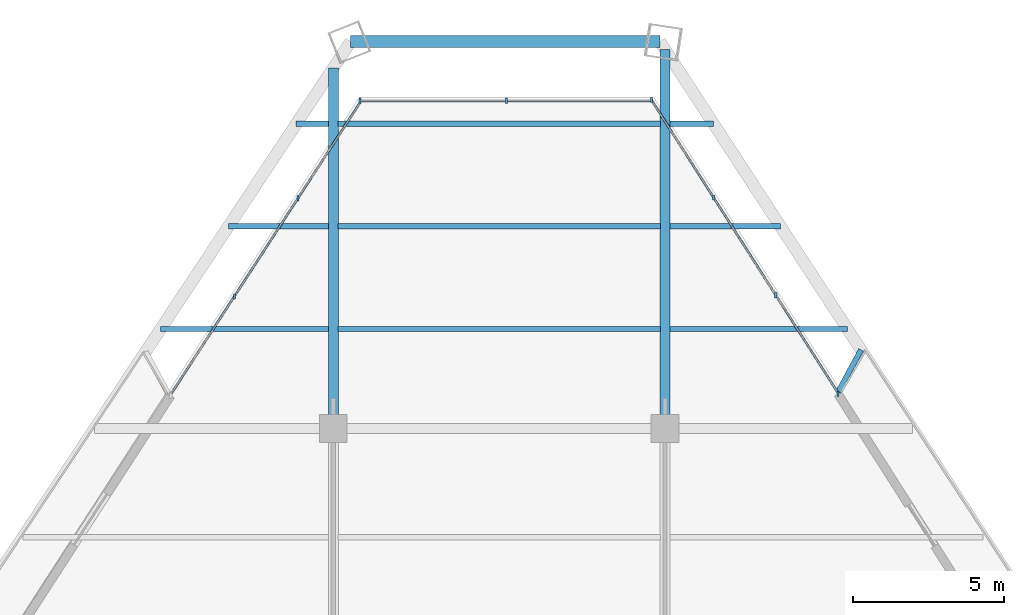
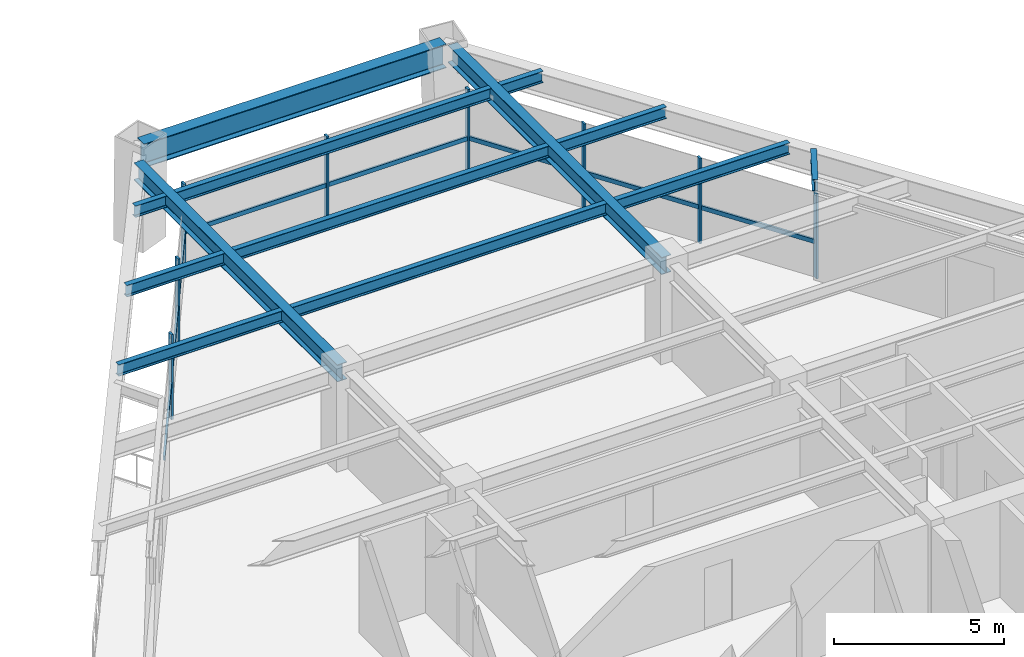
# One storey, part 9 of 15: 16 members, 13 beams, 3 elements without a shape of their own.
"""IFC4 building model written with IfcOpenShell, lengths in metres."""

from ifc_helpers import new_model, si_unit, direction, frame, origin, origin_2d, place, context, subcontext, project, spatial, rectangle, i_section, extrude, source, transform, mapped, material, material_profile, profile_set, type_object, type_shapes, element, aggregate, save


model = new_model("IFC4")

# Units and contexts
model_context = context("Model", 3, precision=1e-05, world=origin(), true_north=direction((0.0, 1.0)))
body_context = subcontext(model_context, "Body", "Model", "MODEL_VIEW")
ifc_project = project(units=[si_unit("LENGTHUNIT", "METRE"), si_unit("AREAUNIT", "SQUARE_METRE"), si_unit("VOLUMEUNIT", "CUBIC_METRE"), si_unit("PLANEANGLEUNIT", "RADIAN"), si_unit("MASSUNIT", "GRAM", prefix="KILO")], contexts=[model_context])

# Site, building, storey
site_placement = place(None, origin())
site = spatial("IfcSite", under=ifc_project, at=site_placement, CompositionType="ELEMENT")
building_placement = place(site_placement, origin())
building = spatial("IfcBuilding", under=site, at=building_placement, Name="Varnakhor Terracotta Tower", CompositionType="ELEMENT")
storey_placement = place(building_placement, frame((0.0, 0.0, 144.10009765625)))
storey = spatial("IfcBuildingStorey", under=building, at=storey_placement, Name="L36", CompositionType="ELEMENT", Elevation=144.10009765625)

# Beams
ifc_material_1 = material(Name="Steel S355", Category="steel")
ifc_material_profile_1 = material_profile(ifc_material_1, i_section(OverallWidth=0.179931640625, OverallDepth=0.4130859375, WebThickness=0.009765625, FlangeThickness=0.01611328125, FilletRadius=0.01806640625, at=origin_2d()), Name="W16X50")
ifc_profile_set_1 = profile_set([ifc_material_profile_1], Name="Steel S355")
beam_type_1 = type_object("IfcBeamType", Name="JST-W16X50", PredefinedType="JOIST", material=ifc_profile_set_1)
shared_shape_1 = source(origin(), body_context, "Body", "SweptSolid", [
    extrude(i_section(OverallWidth=0.179931640625, OverallDepth=0.4130859375, WebThickness=0.009765625, FlangeThickness=0.01611328125, FilletRadius=0.01806640625, at=origin_2d()), origin(), (0.0, 0.0, 1.0), 10.68310546875),
])
for number, where, z_axis, x_axis, name in (
    (1, (-5.341552734375, 34.800048828125, 3.263427734375), (1.0, 0.0, 0.0), (0.0, 1.0, 0.0), "L36 Composite Floor Joist 7-2"),
    (2, (-5.341552734375, 38.199951171875, 3.263427734375), (1.0, 0.0, 0.0), (0.0, 1.0, 0.0), "L36 Composite Floor Joist 8-2"),
    (3, (-5.341552734375, 41.60009765625, 3.263427734375), (1.0, 0.0, 0.0), (0.0, 1.0, 0.0), "L36 Composite Floor Joist 9-2"),
):
    element("IfcBeam", number, at=place(storey_placement, frame(where, z_axis=z_axis, x_axis=x_axis)), inside=storey, type_object=beam_type_1, Name=name, PredefinedType="JOIST", context=body_context, shape_type="MappedRepresentation", body=[
        mapped(shared_shape_1, transform((0.0, 0.0, 0.0), scale=1.0)),
    ])
ifc_material_profile_2 = material_profile(ifc_material_1, i_section(OverallWidth=0.39990234375, OverallDepth=0.85498046875, WebThickness=0.01806640625, FlangeThickness=0.029052734375, FilletRadius=0.01806640625, at=origin_2d()), Name="W33X201")
ifc_profile_set_2 = profile_set([ifc_material_profile_2], Name="Steel S355")
beam_type_2 = type_object("IfcBeamType", Name="BM-W33X201", PredefinedType="BEAM", material=ifc_profile_set_2)
shared_shape_2 = source(origin(), body_context, "Body", "SweptSolid", [
    extrude(i_section(OverallWidth=0.39990234375, OverallDepth=0.85498046875, WebThickness=0.01806640625, FlangeThickness=0.029052734375, FilletRadius=0.01806640625, at=origin_2d()), origin(), (0.0, 0.0, 1.0), 10.251953125),
])
beam_1_placement = place(storey_placement, frame((5.327880859375, 44.330810546875, 3.04248046875), z_axis=(-1.0, 0.0, 0.0), x_axis=(0.0, -1.0, 0.0)))
element("IfcBeam", 4, at=beam_1_placement, inside=storey, type_object=beam_type_2, Name="L36 Perimeter Spandrel 5", PredefinedType="BEAM", context=body_context, shape_type="MappedRepresentation", body=[
    mapped(shared_shape_2, transform((0.0, 0.0, 0.0), scale=1.0)),
])
ifc_material_profile_3 = material_profile(ifc_material_1, i_section(OverallWidth=0.324951171875, OverallDepth=0.615966796875, WebThickness=0.013916015625, FlangeThickness=0.02197265625, FilletRadius=0.01806640625, at=origin_2d()), Name="W24X117")
ifc_profile_set_3 = profile_set([ifc_material_profile_3], Name="Steel S355")
beam_type_3 = type_object("IfcBeamType", Name="BM-W24X117", PredefinedType="BEAM", material=ifc_profile_set_3)
shared_shape_3 = source(origin(), body_context, "Body", "SweptSolid", [
    extrude(i_section(OverallWidth=0.324951171875, OverallDepth=0.615966796875, WebThickness=0.013916015625, FlangeThickness=0.02197265625, FilletRadius=0.01806640625, at=origin_2d()), origin(), (0.0, 0.0, 1.0), 11.960205078125),
])
beam_2_placement = place(storey_placement, frame((-5.5, 31.5, 3.161865234375), z_axis=(0.0, 1.0, 0.0), x_axis=(-1.0, 0.0, 0.0)))
element("IfcBeam", 5, at=beam_2_placement, inside=storey, type_object=beam_type_3, Name="L36 Primary Girder NS3-W", PredefinedType="BEAM", context=body_context, shape_type="MappedRepresentation", body=[
    mapped(shared_shape_3, transform((0.0, 0.0, 0.0), scale=1.0)),
])
shared_shape_4 = source(origin(), body_context, "Body", "SweptSolid", [
    extrude(i_section(OverallWidth=0.324951171875, OverallDepth=0.615966796875, WebThickness=0.013916015625, FlangeThickness=0.02197265625, FilletRadius=0.01806640625, at=origin_2d()), origin(), (0.0, 0.0, 1.0), 12.56689453125),
])
beam_3_placement = place(storey_placement, frame((5.5, 31.5, 3.161865234375), z_axis=(0.0, 1.0, 0.0), x_axis=(-1.0, 0.0, 0.0)))
element("IfcBeam", 6, at=beam_3_placement, inside=storey, type_object=beam_type_3, Name="L36 Primary Girder NS3-E", PredefinedType="BEAM", context=body_context, shape_type="MappedRepresentation", body=[
    mapped(shared_shape_4, transform((0.0, 0.0, 0.0), scale=1.0)),
])
shared_shape_5 = source(origin(), body_context, "Body", "SweptSolid", [
    extrude(i_section(OverallWidth=0.179931640625, OverallDepth=0.4130859375, WebThickness=0.009765625, FlangeThickness=0.01611328125, FilletRadius=0.01806640625, at=origin_2d()), origin(), (0.0, 0.0, 1.0), 5.57080078125),
])
beam_4_placement = place(storey_placement, frame((-11.229248046875, 34.800048828125, 3.263427734375), z_axis=(1.0, 0.0, 0.0), x_axis=(0.0, 1.0, 0.0)))
element("IfcBeam", 7, at=beam_4_placement, inside=storey, type_object=beam_type_1, Name="L36 Composite Floor Joist 7-1", PredefinedType="JOIST", context=body_context, shape_type="MappedRepresentation", body=[
    mapped(shared_shape_5, transform((0.0, 0.0, 0.0), scale=1.0)),
])
shared_shape_6 = source(origin(), body_context, "Body", "SweptSolid", [
    extrude(i_section(OverallWidth=0.179931640625, OverallDepth=0.4130859375, WebThickness=0.009765625, FlangeThickness=0.01611328125, FilletRadius=0.01806640625, at=origin_2d()), origin(), (0.0, 0.0, 1.0), 5.8876953125),
])
beam_5_placement = place(storey_placement, frame((5.658447265625, 34.800048828125, 3.263427734375), z_axis=(1.0, 0.0, 0.0), x_axis=(0.0, 1.0, 0.0)))
element("IfcBeam", 8, at=beam_5_placement, inside=storey, type_object=beam_type_1, Name="L36 Composite Floor Joist 7-3", PredefinedType="JOIST", context=body_context, shape_type="MappedRepresentation", body=[
    mapped(shared_shape_6, transform((0.0, 0.0, 0.0), scale=1.0)),
])
shared_shape_7 = source(origin(), body_context, "Body", "SweptSolid", [
    extrude(i_section(OverallWidth=0.179931640625, OverallDepth=0.4130859375, WebThickness=0.009765625, FlangeThickness=0.01611328125, FilletRadius=0.01806640625, at=origin_2d()), origin(), (0.0, 0.0, 1.0), 3.321533203125),
])
beam_6_placement = place(storey_placement, frame((-8.97998046875, 38.199951171875, 3.263427734375), z_axis=(1.0, 0.0, 0.0), x_axis=(0.0, 1.0, 0.0)))
element("IfcBeam", 9, at=beam_6_placement, inside=storey, type_object=beam_type_1, Name="L36 Composite Floor Joist 8-1", PredefinedType="JOIST", context=body_context, shape_type="MappedRepresentation", body=[
    mapped(shared_shape_7, transform((0.0, 0.0, 0.0), scale=1.0)),
])
shared_shape_8 = source(origin(), body_context, "Body", "SweptSolid", [
    extrude(i_section(OverallWidth=0.179931640625, OverallDepth=0.4130859375, WebThickness=0.009765625, FlangeThickness=0.01611328125, FilletRadius=0.01806640625, at=origin_2d()), origin(), (0.0, 0.0, 1.0), 3.66943359375),
])
beam_7_placement = place(storey_placement, frame((5.658447265625, 38.199951171875, 3.263427734375), z_axis=(1.0, 0.0, 0.0), x_axis=(0.0, 1.0, 0.0)))
element("IfcBeam", 10, at=beam_7_placement, inside=storey, type_object=beam_type_1, Name="L36 Composite Floor Joist 8-3", PredefinedType="JOIST", context=body_context, shape_type="MappedRepresentation", body=[
    mapped(shared_shape_8, transform((0.0, 0.0, 0.0), scale=1.0)),
])
shared_shape_9 = source(origin(), body_context, "Body", "SweptSolid", [
    extrude(i_section(OverallWidth=0.179931640625, OverallDepth=0.4130859375, WebThickness=0.009765625, FlangeThickness=0.01611328125, FilletRadius=0.01806640625, at=origin_2d()), origin(), (0.0, 0.0, 1.0), 1.072265625),
])
beam_8_placement = place(storey_placement, frame((-6.730712890625, 41.60009765625, 3.263427734375), z_axis=(1.0, 0.0, 0.0), x_axis=(0.0, 1.0, 0.0)))
element("IfcBeam", 11, at=beam_8_placement, inside=storey, type_object=beam_type_1, Name="L36 Composite Floor Joist 9-1", PredefinedType="JOIST", context=body_context, shape_type="MappedRepresentation", body=[
    mapped(shared_shape_9, transform((0.0, 0.0, 0.0), scale=1.0)),
])
shared_shape_10 = source(origin(), body_context, "Body", "SweptSolid", [
    extrude(i_section(OverallWidth=0.179931640625, OverallDepth=0.4130859375, WebThickness=0.009765625, FlangeThickness=0.01611328125, FilletRadius=0.01806640625, at=origin_2d()), origin(), (0.0, 0.0, 1.0), 1.451171875),
])
beam_9_placement = place(storey_placement, frame((5.658447265625, 41.60009765625, 3.263427734375), z_axis=(1.0, 0.0, 0.0), x_axis=(0.0, 1.0, 0.0)))
element("IfcBeam", 12, at=beam_9_placement, inside=storey, type_object=beam_type_1, Name="L36 Composite Floor Joist 9-3", PredefinedType="JOIST", context=body_context, shape_type="MappedRepresentation", body=[
    mapped(shared_shape_10, transform((0.0, 0.0, 0.0), scale=1.0)),
])
ifc_material_profile_4 = material_profile(ifc_material_1, i_section(OverallWidth=0.179931640625, OverallDepth=0.39990234375, WebThickness=0.008544921875, FlangeThickness=0.013427734375, FilletRadius=0.01806640625, at=origin_2d()), Name="IPE400")
ifc_profile_set_4 = profile_set([ifc_material_profile_4], Name="Steel S355")
beam_type_4 = type_object("IfcBeamType", Name="JST-IPE400", PredefinedType="JOIST", material=ifc_profile_set_4)
shared_shape_11 = source(origin(), body_context, "Body", "SweptSolid", [
    extrude(i_section(OverallWidth=0.179931640625, OverallDepth=0.39990234375, WebThickness=0.008544921875, FlangeThickness=0.013427734375, FilletRadius=0.01806640625, at=origin_2d()), origin(), (0.0, 0.0, 1.0), 1.598876953125),
])
beam_10_placement = place(storey_placement, frame((11.2373046875, 32.701171875, 3.27001953125), z_axis=(0.47562880742, 0.879646086532, 0.0), x_axis=(-0.879646086532, 0.47562880742, 0.0)))
element("IfcBeam", 13, at=beam_10_placement, inside=storey, type_object=beam_type_4, Name="L37 E Loggia Tie Beam 1", PredefinedType="JOIST", context=body_context, shape_type="MappedRepresentation", body=[
    mapped(shared_shape_11, transform((0.0, 0.0, 0.0), scale=1.0)),
])

# Curtain wall, members
ifc_material_2 = material(Name="Anodised Aluminium Curtain Wall System", Category="aluminium")
curtain_wall_type = type_object("IfcCurtainWallType", Name="CW-SYS-MID-OFFICE", PredefinedType="NOTDEFINED", material=ifc_material_2)
curtain_wall_1_placement = place(storey_placement, origin())
curtain_wall_1 = element("IfcCurtainWall", 14, at=curtain_wall_1_placement, inside=storey, type_object=curtain_wall_type, Name="L36 W Facet Curtain Wall 2", PredefinedType="NOTDEFINED")
ifc_material_3 = material(Name="Anodised Aluminium 6063-T6", Category="aluminium")
ifc_material_profile_5 = material_profile(ifc_material_3, rectangle(XDim=0.070068359375, YDim=0.175048828125, at=origin_2d()), Name="ALU MULLION 70x175")
ifc_profile_set_5 = profile_set([ifc_material_profile_5], Name="Anodised Aluminium 6063-T6")
member_type_1 = type_object("IfcMemberType", Name="CWM-03", PredefinedType="MULLION", material=ifc_profile_set_5)
shared_shape_12 = source(origin(), body_context, "Body", "SweptSolid", [
    extrude(rectangle(XDim=0.070068359375, YDim=0.175048828125, at=origin_2d()), origin(), (0.0, 0.0, 1.0), 3.0498046875),
])
type_shapes(member_type_1, [shared_shape_12])
member_1_placement = place(storey_placement, frame((-8.781982421875, 35.880859375, 0.0), z_axis=(0.0, 0.0, 1.0), x_axis=(1.0, 0.0, 0.0)))
member_1 = element("IfcMember", 15, at=member_1_placement, type_object=member_type_1, Name="L36 W Facet Curtain Wall 2 Mullion 2", PredefinedType="MULLION", context=body_context, shape_type="MappedRepresentation", body=[
    mapped(shared_shape_12, transform((0.0, 0.0, 0.0), scale=1.0)),
])
member_2_placement = place(storey_placement, frame((-6.670166015625, 39.13818359375, 0.0), z_axis=(0.0, 0.0, 1.0), x_axis=(1.0, 0.0, 0.0)))
member_2 = element("IfcMember", 16, at=member_2_placement, type_object=member_type_1, Name="L36 W Facet Curtain Wall 2 Mullion 3", PredefinedType="MULLION", context=body_context, shape_type="MappedRepresentation", body=[
    mapped(shared_shape_12, transform((0.0, 0.0, 0.0), scale=1.0)),
])

curtain_wall_2_placement = place(storey_placement, origin())
curtain_wall_2 = element("IfcCurtainWall", 17, at=curtain_wall_2_placement, inside=storey, type_object=curtain_wall_type, Name="L36 Facet Curtain Wall 2", PredefinedType="NOTDEFINED")
member_3_placement = place(storey_placement, frame((-4.612548828125, 42.3662109375, 0.0), z_axis=(0.0, 0.0, 1.0), x_axis=(1.0, 0.0, 0.0)))
member_3 = element("IfcMember", 18, at=member_3_placement, type_object=member_type_1, Name="L36 Facet Curtain Wall 2 Mullion 1", PredefinedType="MULLION", context=body_context, shape_type="MappedRepresentation", body=[
    mapped(shared_shape_12, transform((0.0, 0.0, 0.0), scale=1.0)),
])
member_4_placement = place(storey_placement, frame((0.244384765625, 42.3662109375, 0.0), z_axis=(0.0, 0.0, 1.0), x_axis=(1.0, 0.0, 0.0)))
member_4 = element("IfcMember", 19, at=member_4_placement, type_object=member_type_1, Name="L36 Facet Curtain Wall 2 Mullion 2", PredefinedType="MULLION", context=body_context, shape_type="MappedRepresentation", body=[
    mapped(shared_shape_12, transform((0.0, 0.0, 0.0), scale=1.0)),
])

curtain_wall_3_placement = place(storey_placement, origin())
curtain_wall_3 = element("IfcCurtainWall", 20, at=curtain_wall_3_placement, inside=storey, type_object=curtain_wall_type, Name="L36 E Facet Curtain Wall 1", PredefinedType="NOTDEFINED")
member_5_placement = place(storey_placement, frame((5.0458984375, 42.396484375, 0.0), z_axis=(0.0, 0.0, 1.0), x_axis=(1.0, 0.0, 0.0)))
member_5 = element("IfcMember", 21, at=member_5_placement, type_object=member_type_1, Name="L36 E Facet Curtain Wall 1 Mullion 1", PredefinedType="MULLION", context=body_context, shape_type="MappedRepresentation", body=[
    mapped(shared_shape_12, transform((0.0, 0.0, 0.0), scale=1.0)),
])
member_6_placement = place(storey_placement, frame((7.1083984375, 39.15771484375, 0.0), z_axis=(0.0, 0.0, 1.0), x_axis=(1.0, 0.0, 0.0)))
member_6 = element("IfcMember", 22, at=member_6_placement, type_object=member_type_1, Name="L36 E Facet Curtain Wall 1 Mullion 2", PredefinedType="MULLION", context=body_context, shape_type="MappedRepresentation", body=[
    mapped(shared_shape_12, transform((0.0, 0.0, 0.0), scale=1.0)),
])
member_7_placement = place(storey_placement, frame((9.1708984375, 35.919189453125, 0.0), z_axis=(0.0, 0.0, 1.0), x_axis=(1.0, 0.0, 0.0)))
member_7 = element("IfcMember", 23, at=member_7_placement, type_object=member_type_1, Name="L36 E Facet Curtain Wall 1 Mullion 3", PredefinedType="MULLION", context=body_context, shape_type="MappedRepresentation", body=[
    mapped(shared_shape_12, transform((0.0, 0.0, 0.0), scale=1.0)),
])
member_8_placement = place(storey_placement, frame((11.232666015625, 32.64453125, 0.0), z_axis=(0.0, 0.0, 1.0), x_axis=(1.0, 0.0, 0.0)))
member_8 = element("IfcMember", 24, at=member_8_placement, type_object=member_type_1, Name="L36 E Loggia Jamb Closure Mullion 1", PredefinedType="MULLION", context=body_context, shape_type="MappedRepresentation", body=[
    mapped(shared_shape_12, transform((0.0, 0.0, 0.0), scale=1.0)),
])

# Member
ifc_material_profile_6 = material_profile(ifc_material_3, rectangle(XDim=0.070068359375, YDim=0.155029296875, at=origin_2d()), Name="ALU TRANSOM 70x155")
ifc_profile_set_6 = profile_set([ifc_material_profile_6], Name="Anodised Aluminium 6063-T6")
member_type_2 = type_object("IfcMemberType", Name="CWT-03", PredefinedType="USERDEFINED", material=ifc_profile_set_6)
shared_shape_13 = source(origin(), body_context, "Body", "SweptSolid", [
    extrude(rectangle(XDim=0.070068359375, YDim=0.155029296875, at=origin_2d()), origin(), (0.0, 0.0, 1.0), 3.882080078125),
])
member_9_placement = place(storey_placement, frame((-8.781982421875, 35.880859375, 1.281005859375), z_axis=(0.544002064371, 0.839083877785, 0.0), x_axis=(-0.839083877785, 0.544002064371, 0.0)))
member_9 = element("IfcMember", 25, at=member_9_placement, type_object=member_type_2, Name="L36 W Facet Curtain Wall 2 Transom 2", ObjectType="TRANSOM", PredefinedType="USERDEFINED", context=body_context, shape_type="MappedRepresentation", body=[
    mapped(shared_shape_13, transform((0.0, 0.0, 0.0), scale=1.0)),
])

shared_shape_14 = source(origin(), body_context, "Body", "SweptSolid", [
    extrude(rectangle(XDim=0.070068359375, YDim=0.155029296875, at=origin_2d()), origin(), (0.0, 0.0, 1.0), 3.88232421875),
])
member_10_placement = place(storey_placement, frame((-10.89404296875, 32.623291015625, 1.281005859375), z_axis=(0.544017634488, 0.839073783028, 0.0), x_axis=(-0.839073783028, 0.544017634488, 0.0)))
member_10 = element("IfcMember", 26, at=member_10_placement, type_object=member_type_2, Name="L36 W Facet Curtain Wall 2 Transom 1", ObjectType="TRANSOM", PredefinedType="USERDEFINED", context=body_context, shape_type="MappedRepresentation", body=[
    mapped(shared_shape_14, transform((0.0, 0.0, 0.0), scale=1.0)),
])

member_11_placement = place(storey_placement, frame((-6.670166015625, 39.13818359375, 1.281005859375), z_axis=(0.544017634488, 0.839073783028, 0.0), x_axis=(-0.839073783028, 0.544017634488, 0.0)))
member_11 = element("IfcMember", 27, at=member_11_placement, type_object=member_type_2, Name="L36 W Facet Curtain Wall 2 Transom 3", ObjectType="TRANSOM", PredefinedType="USERDEFINED", context=body_context, shape_type="MappedRepresentation", body=[
    mapped(shared_shape_14, transform((0.0, 0.0, 0.0), scale=1.0)),
])

aggregate(curtain_wall_1, [member_10, member_1, member_9, member_2, member_11])

shared_shape_15 = source(origin(), body_context, "Body", "SweptSolid", [
    extrude(rectangle(XDim=0.070068359375, YDim=0.155029296875, at=origin_2d()), origin(), (0.0, 0.0, 1.0), 4.85693359375),
])
member_12_placement = place(storey_placement, frame((-4.612548828125, 42.3662109375, 1.281005859375), z_axis=(1.0, 0.0, 0.0), x_axis=(0.0, 1.0, 0.0)))
member_12 = element("IfcMember", 28, at=member_12_placement, type_object=member_type_2, Name="L36 Facet Curtain Wall 2 Transom 1", ObjectType="TRANSOM", PredefinedType="USERDEFINED", context=body_context, shape_type="MappedRepresentation", body=[
    mapped(shared_shape_15, transform((0.0, 0.0, 0.0), scale=1.0)),
])

shared_shape_16 = source(origin(), body_context, "Body", "SweptSolid", [
    extrude(rectangle(XDim=0.070068359375, YDim=0.155029296875, at=origin_2d()), origin(), (0.0, 0.0, 1.0), 4.856689453125),
])
member_13_placement = place(storey_placement, frame((0.244384765625, 42.3662109375, 1.281005859375), z_axis=(1.0, 0.0, 0.0), x_axis=(0.0, 1.0, 0.0)))
member_13 = element("IfcMember", 29, at=member_13_placement, type_object=member_type_2, Name="L36 Facet Curtain Wall 2 Transom 2", ObjectType="TRANSOM", PredefinedType="USERDEFINED", context=body_context, shape_type="MappedRepresentation", body=[
    mapped(shared_shape_16, transform((0.0, 0.0, 0.0), scale=1.0)),
])

aggregate(curtain_wall_2, [member_3, member_12, member_4, member_13])

shared_shape_17 = source(origin(), body_context, "Body", "SweptSolid", [
    extrude(rectangle(XDim=0.070068359375, YDim=0.155029296875, at=origin_2d()), origin(), (0.0, 0.0, 1.0), 3.83984375),
])
member_14_placement = place(storey_placement, frame((5.0458984375, 42.396484375, 1.281005859375), z_axis=(0.537147000093, -0.843488648584, 0.0), x_axis=(0.843488648584, 0.537147000093, 0.0)))
member_14 = element("IfcMember", 30, at=member_14_placement, type_object=member_type_2, Name="L36 E Facet Curtain Wall 1 Transom 1", ObjectType="TRANSOM", PredefinedType="USERDEFINED", context=body_context, shape_type="MappedRepresentation", body=[
    mapped(shared_shape_17, transform((0.0, 0.0, 0.0), scale=1.0)),
])

shared_shape_18 = source(origin(), body_context, "Body", "SweptSolid", [
    extrude(rectangle(XDim=0.070068359375, YDim=0.155029296875, at=origin_2d()), origin(), (0.0, 0.0, 1.0), 3.839599609375),
])
member_15_placement = place(storey_placement, frame((7.1083984375, 39.15771484375, 1.281005859375), z_axis=(0.537175809228, -0.843470301777, 0.0), x_axis=(0.843470301777, 0.537175809228, 0.0)))
member_15 = element("IfcMember", 31, at=member_15_placement, type_object=member_type_2, Name="L36 E Facet Curtain Wall 1 Transom 2", ObjectType="TRANSOM", PredefinedType="USERDEFINED", context=body_context, shape_type="MappedRepresentation", body=[
    mapped(shared_shape_18, transform((0.0, 0.0, 0.0), scale=1.0)),
])

member_16_placement = place(storey_placement, frame((9.1708984375, 35.919189453125, 1.281005859375), z_axis=(0.537175809228, -0.843470301777, 0.0), x_axis=(0.843470301777, 0.537175809228, 0.0)))
member_16 = element("IfcMember", 32, at=member_16_placement, type_object=member_type_2, Name="L36 E Facet Curtain Wall 1 Transom 3", ObjectType="TRANSOM", PredefinedType="USERDEFINED", context=body_context, shape_type="MappedRepresentation", body=[
    mapped(shared_shape_18, transform((0.0, 0.0, 0.0), scale=1.0)),
])

aggregate(curtain_wall_3, [member_5, member_14, member_6, member_15, member_7, member_16, member_8])

save(model, "model.ifc")
